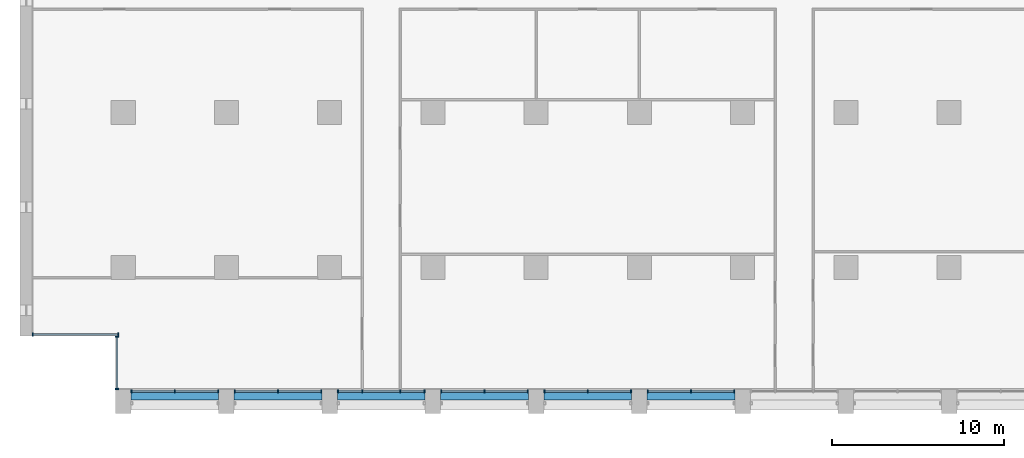
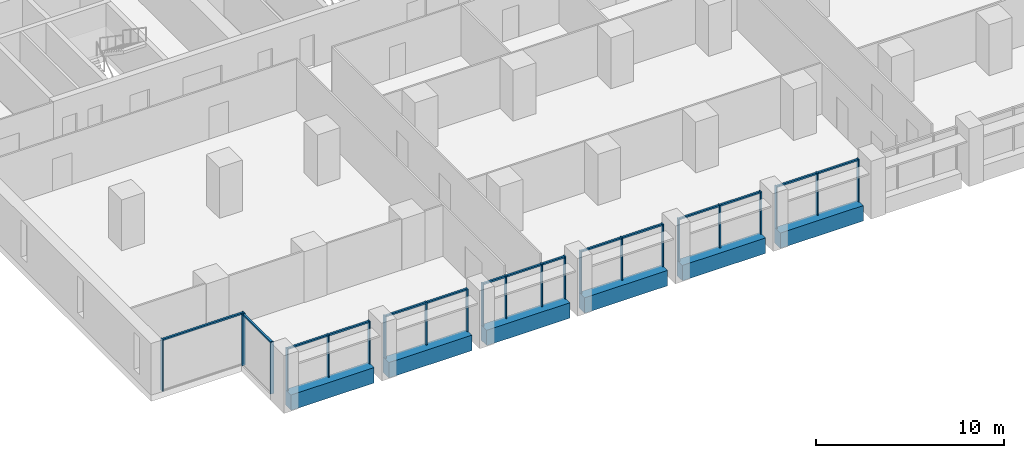
# One storey, part 2 of 15: 38 members, 6 beams, 8 elements without a shape of their own.
"""IFC4 building model written with IfcOpenShell, lengths in metres."""

from ifc_helpers import new_model, si_unit, direction, frame, origin, origin_2d, place, context, subcontext, project, spatial, rectangle, extrude, material, material_profile, profile_set, type_object, element, aggregate, save


model = new_model("IFC4")

# Units and contexts
model_context = context("Model", 3, precision=1e-05, world=origin(), true_north=direction((0.0, 1.0)))
body_context = subcontext(model_context, "Body", "Model", "MODEL_VIEW")
ifc_project = project(units=[si_unit("LENGTHUNIT", "METRE"), si_unit("AREAUNIT", "SQUARE_METRE"), si_unit("VOLUMEUNIT", "CUBIC_METRE"), si_unit("PLANEANGLEUNIT", "RADIAN"), si_unit("MASSUNIT", "GRAM", prefix="KILO")], contexts=[model_context])

# Site, building, storey
site_placement = place(None, origin())
site = spatial("IfcSite", under=ifc_project, at=site_placement, CompositionType="ELEMENT")
building_placement = place(site_placement, origin())
building = spatial("IfcBuilding", under=site, at=building_placement, Name="Calvaro Tower", CompositionType="ELEMENT")
storey_placement = place(building_placement, frame((0.0, 0.0, 110.0)))
storey = spatial("IfcBuildingStorey", under=building, at=storey_placement, Name="L27", CompositionType="ELEMENT", Elevation=110.0)

# Curtain wall, members
ifc_material_1 = material(Name="Anodised aluminium", Category="aluminium")
curtain_wall_type = type_object("IfcCurtainWallType", Name="Office curtain wall, middle zone", PredefinedType="NOTDEFINED", material=ifc_material_1)
curtain_wall_1_placement = place(storey_placement, origin())
curtain_wall_1 = element("IfcCurtainWall", 1, at=curtain_wall_1_placement, inside=storey, type_object=curtain_wall_type, Name="CW2 south curtain wall", PredefinedType="NOTDEFINED")
ifc_material_2 = material(Name="Anodised aluminium", Category="aluminium")
ifc_material_profile_1 = material_profile(ifc_material_2, rectangle(XDim=0.199951171875, YDim=0.070068359375, at=origin_2d()), Name="Mullion S2 70 x 200")
ifc_profile_set_1 = profile_set([ifc_material_profile_1], Name="Anodised aluminium")
member_type_1 = type_object("IfcMemberType", Name="Mullion S2 70 x 200", PredefinedType="MULLION", material=ifc_profile_set_1)
member_1_placement = place(storey_placement, frame((6.485107421875, 2.800048828125, 0.0), z_axis=(0.0, 0.0, 1.0), x_axis=(0.0, 1.0, 0.0)))
member_1 = element("IfcMember", 2, at=member_1_placement, type_object=member_type_1, Name="CW2 mullion 1", PredefinedType="MULLION", context=body_context, shape_type="SweptSolid", body=[
    extrude(rectangle(XDim=0.199951171875, YDim=0.070068359375, at=origin_2d()), origin(), (0.0, 0.0, 1.0), 2.75),
])
member_2_placement = place(storey_placement, frame((9.0, 2.800048828125, 0.0), z_axis=(0.0, 0.0, 1.0), x_axis=(0.0, 1.0, 0.0)))
member_2 = element("IfcMember", 3, at=member_2_placement, type_object=member_type_1, Name="CW2 mullion 2", PredefinedType="MULLION", context=body_context, shape_type="SweptSolid", body=[
    extrude(rectangle(XDim=0.199951171875, YDim=0.070068359375, at=origin_2d()), origin(), (0.0, 0.0, 1.0), 2.75),
])
member_3_placement = place(storey_placement, frame((11.514892578125, 2.800048828125, 0.0), z_axis=(0.0, 0.0, 1.0), x_axis=(0.0, 1.0, 0.0)))
member_3 = element("IfcMember", 4, at=member_3_placement, type_object=member_type_1, Name="CW2 mullion 3", PredefinedType="MULLION", context=body_context, shape_type="SweptSolid", body=[
    extrude(rectangle(XDim=0.199951171875, YDim=0.070068359375, at=origin_2d()), origin(), (0.0, 0.0, 1.0), 2.75),
])

curtain_wall_2_placement = place(storey_placement, origin())
curtain_wall_2 = element("IfcCurtainWall", 5, at=curtain_wall_2_placement, inside=storey, type_object=curtain_wall_type, Name="CW2 south curtain wall", PredefinedType="NOTDEFINED")
member_4_placement = place(storey_placement, frame((12.485107421875, 2.800048828125, 0.0), z_axis=(0.0, 0.0, 1.0), x_axis=(0.0, 1.0, 0.0)))
member_4 = element("IfcMember", 6, at=member_4_placement, type_object=member_type_1, Name="CW2 mullion 1", PredefinedType="MULLION", context=body_context, shape_type="SweptSolid", body=[
    extrude(rectangle(XDim=0.199951171875, YDim=0.070068359375, at=origin_2d()), origin(), (0.0, 0.0, 1.0), 2.75),
])
member_5_placement = place(storey_placement, frame((15.0, 2.800048828125, 0.0), z_axis=(0.0, 0.0, 1.0), x_axis=(0.0, 1.0, 0.0)))
member_5 = element("IfcMember", 7, at=member_5_placement, type_object=member_type_1, Name="CW2 mullion 2", PredefinedType="MULLION", context=body_context, shape_type="SweptSolid", body=[
    extrude(rectangle(XDim=0.199951171875, YDim=0.070068359375, at=origin_2d()), origin(), (0.0, 0.0, 1.0), 2.75),
])
member_6_placement = place(storey_placement, frame((17.514892578125, 2.800048828125, 0.0), z_axis=(0.0, 0.0, 1.0), x_axis=(0.0, 1.0, 0.0)))
member_6 = element("IfcMember", 8, at=member_6_placement, type_object=member_type_1, Name="CW2 mullion 3", PredefinedType="MULLION", context=body_context, shape_type="SweptSolid", body=[
    extrude(rectangle(XDim=0.199951171875, YDim=0.070068359375, at=origin_2d()), origin(), (0.0, 0.0, 1.0), 2.75),
])

curtain_wall_3_placement = place(storey_placement, origin())
curtain_wall_3 = element("IfcCurtainWall", 9, at=curtain_wall_3_placement, inside=storey, type_object=curtain_wall_type, Name="CW2 south curtain wall", PredefinedType="NOTDEFINED")
member_7_placement = place(storey_placement, frame((18.485107421875, 2.800048828125, 0.0), z_axis=(0.0, 0.0, 1.0), x_axis=(0.0, 1.0, 0.0)))
member_7 = element("IfcMember", 10, at=member_7_placement, type_object=member_type_1, Name="CW2 mullion 1", PredefinedType="MULLION", context=body_context, shape_type="SweptSolid", body=[
    extrude(rectangle(XDim=0.199951171875, YDim=0.070068359375, at=origin_2d()), origin(), (0.0, 0.0, 1.0), 2.75),
])
member_8_placement = place(storey_placement, frame((19.89990234375, 2.800048828125, 0.0), z_axis=(0.0, 0.0, 1.0), x_axis=(0.0, 1.0, 0.0)))
member_8 = element("IfcMember", 11, at=member_8_placement, type_object=member_type_1, Name="CW2 mullion 2", PredefinedType="MULLION", context=body_context, shape_type="SweptSolid", body=[
    extrude(rectangle(XDim=0.199951171875, YDim=0.070068359375, at=origin_2d()), origin(), (0.0, 0.0, 1.0), 2.75),
])
member_9_placement = place(storey_placement, frame((22.10009765625, 2.800048828125, 0.0), z_axis=(0.0, 0.0, 1.0), x_axis=(0.0, 1.0, 0.0)))
member_9 = element("IfcMember", 12, at=member_9_placement, type_object=member_type_1, Name="CW2 mullion 3", PredefinedType="MULLION", context=body_context, shape_type="SweptSolid", body=[
    extrude(rectangle(XDim=0.199951171875, YDim=0.070068359375, at=origin_2d()), origin(), (0.0, 0.0, 1.0), 2.75),
])
member_10_placement = place(storey_placement, frame((23.514892578125, 2.800048828125, 0.0), z_axis=(0.0, 0.0, 1.0), x_axis=(0.0, 1.0, 0.0)))
member_10 = element("IfcMember", 13, at=member_10_placement, type_object=member_type_1, Name="CW2 mullion 4", PredefinedType="MULLION", context=body_context, shape_type="SweptSolid", body=[
    extrude(rectangle(XDim=0.199951171875, YDim=0.070068359375, at=origin_2d()), origin(), (0.0, 0.0, 1.0), 2.75),
])

curtain_wall_4_placement = place(storey_placement, origin())
curtain_wall_4 = element("IfcCurtainWall", 14, at=curtain_wall_4_placement, inside=storey, type_object=curtain_wall_type, Name="CW2 south curtain wall", PredefinedType="NOTDEFINED")
member_11_placement = place(storey_placement, frame((24.485107421875, 2.800048828125, 0.0), z_axis=(0.0, 0.0, 1.0), x_axis=(0.0, 1.0, 0.0)))
member_11 = element("IfcMember", 15, at=member_11_placement, type_object=member_type_1, Name="CW2 mullion 1", PredefinedType="MULLION", context=body_context, shape_type="SweptSolid", body=[
    extrude(rectangle(XDim=0.199951171875, YDim=0.070068359375, at=origin_2d()), origin(), (0.0, 0.0, 1.0), 2.75),
])
member_12_placement = place(storey_placement, frame((27.0, 2.800048828125, 0.0), z_axis=(0.0, 0.0, 1.0), x_axis=(0.0, 1.0, 0.0)))
member_12 = element("IfcMember", 16, at=member_12_placement, type_object=member_type_1, Name="CW2 mullion 2", PredefinedType="MULLION", context=body_context, shape_type="SweptSolid", body=[
    extrude(rectangle(XDim=0.199951171875, YDim=0.070068359375, at=origin_2d()), origin(), (0.0, 0.0, 1.0), 2.75),
])
member_13_placement = place(storey_placement, frame((29.514892578125, 2.800048828125, 0.0), z_axis=(0.0, 0.0, 1.0), x_axis=(0.0, 1.0, 0.0)))
member_13 = element("IfcMember", 17, at=member_13_placement, type_object=member_type_1, Name="CW2 mullion 3", PredefinedType="MULLION", context=body_context, shape_type="SweptSolid", body=[
    extrude(rectangle(XDim=0.199951171875, YDim=0.070068359375, at=origin_2d()), origin(), (0.0, 0.0, 1.0), 2.75),
])

curtain_wall_5_placement = place(storey_placement, origin())
curtain_wall_5 = element("IfcCurtainWall", 18, at=curtain_wall_5_placement, inside=storey, type_object=curtain_wall_type, Name="CW2 south curtain wall", PredefinedType="NOTDEFINED")
member_14_placement = place(storey_placement, frame((30.485107421875, 2.800048828125, 0.0), z_axis=(0.0, 0.0, 1.0), x_axis=(0.0, 1.0, 0.0)))
member_14 = element("IfcMember", 19, at=member_14_placement, type_object=member_type_1, Name="CW2 mullion 1", PredefinedType="MULLION", context=body_context, shape_type="SweptSolid", body=[
    extrude(rectangle(XDim=0.199951171875, YDim=0.070068359375, at=origin_2d()), origin(), (0.0, 0.0, 1.0), 2.75),
])
member_15_placement = place(storey_placement, frame((33.0, 2.800048828125, 0.0), z_axis=(0.0, 0.0, 1.0), x_axis=(0.0, 1.0, 0.0)))
member_15 = element("IfcMember", 20, at=member_15_placement, type_object=member_type_1, Name="CW2 mullion 2", PredefinedType="MULLION", context=body_context, shape_type="SweptSolid", body=[
    extrude(rectangle(XDim=0.199951171875, YDim=0.070068359375, at=origin_2d()), origin(), (0.0, 0.0, 1.0), 2.75),
])
member_16_placement = place(storey_placement, frame((35.514892578125, 2.800048828125, 0.0), z_axis=(0.0, 0.0, 1.0), x_axis=(0.0, 1.0, 0.0)))
member_16 = element("IfcMember", 21, at=member_16_placement, type_object=member_type_1, Name="CW2 mullion 3", PredefinedType="MULLION", context=body_context, shape_type="SweptSolid", body=[
    extrude(rectangle(XDim=0.199951171875, YDim=0.070068359375, at=origin_2d()), origin(), (0.0, 0.0, 1.0), 2.75),
])

curtain_wall_6_placement = place(storey_placement, origin())
curtain_wall_6 = element("IfcCurtainWall", 22, at=curtain_wall_6_placement, inside=storey, type_object=curtain_wall_type, Name="CW2 south curtain wall", PredefinedType="NOTDEFINED")
member_17_placement = place(storey_placement, frame((36.485107421875, 2.800048828125, 0.0), z_axis=(0.0, 0.0, 1.0), x_axis=(0.0, 1.0, 0.0)))
member_17 = element("IfcMember", 23, at=member_17_placement, type_object=member_type_1, Name="CW2 mullion 1", PredefinedType="MULLION", context=body_context, shape_type="SweptSolid", body=[
    extrude(rectangle(XDim=0.199951171875, YDim=0.070068359375, at=origin_2d()), origin(), (0.0, 0.0, 1.0), 2.75),
])
member_18_placement = place(storey_placement, frame((39.0, 2.800048828125, 0.0), z_axis=(0.0, 0.0, 1.0), x_axis=(0.0, 1.0, 0.0)))
member_18 = element("IfcMember", 24, at=member_18_placement, type_object=member_type_1, Name="CW2 mullion 2", PredefinedType="MULLION", context=body_context, shape_type="SweptSolid", body=[
    extrude(rectangle(XDim=0.199951171875, YDim=0.070068359375, at=origin_2d()), origin(), (0.0, 0.0, 1.0), 2.75),
])
member_19_placement = place(storey_placement, frame((41.514892578125, 2.800048828125, 0.0), z_axis=(0.0, 0.0, 1.0), x_axis=(0.0, 1.0, 0.0)))
member_19 = element("IfcMember", 25, at=member_19_placement, type_object=member_type_1, Name="CW2 mullion 3", PredefinedType="MULLION", context=body_context, shape_type="SweptSolid", body=[
    extrude(rectangle(XDim=0.199951171875, YDim=0.070068359375, at=origin_2d()), origin(), (0.0, 0.0, 1.0), 2.75),
])

curtain_wall_7_placement = place(storey_placement, origin())
curtain_wall_7 = element("IfcCurtainWall", 26, at=curtain_wall_7_placement, inside=storey, type_object=curtain_wall_type, Name="CW2 corner curtain wall", PredefinedType="NOTDEFINED")
member_20_placement = place(storey_placement, frame((5.64990234375, 2.93505859375, 0.0), z_axis=(0.0, 0.0, 1.0), x_axis=(-1.0, 0.0, 0.0)))
member_20 = element("IfcMember", 27, at=member_20_placement, type_object=member_type_1, Name="CW2 mullion 1", PredefinedType="MULLION", context=body_context, shape_type="SweptSolid", body=[
    extrude(rectangle(XDim=0.199951171875, YDim=0.070068359375, at=origin_2d()), origin(), (0.0, 0.0, 1.0), 3.35009765625),
])
member_21_placement = place(storey_placement, frame((5.64990234375, 5.965087890625, 0.0), z_axis=(0.0, 0.0, 1.0), x_axis=(-1.0, 0.0, 0.0)))
member_21 = element("IfcMember", 28, at=member_21_placement, type_object=member_type_1, Name="CW2 mullion 2", PredefinedType="MULLION", context=body_context, shape_type="SweptSolid", body=[
    extrude(rectangle(XDim=0.199951171875, YDim=0.070068359375, at=origin_2d()), origin(), (0.0, 0.0, 1.0), 3.35009765625),
])

curtain_wall_8_placement = place(storey_placement, origin())
curtain_wall_8 = element("IfcCurtainWall", 29, at=curtain_wall_8_placement, inside=storey, type_object=curtain_wall_type, Name="CW2 corner curtain wall", PredefinedType="NOTDEFINED")
member_22_placement = place(storey_placement, frame((0.735107421875, 6.10009765625, 0.0), z_axis=(0.0, 0.0, 1.0), x_axis=(0.0, 1.0, 0.0)))
member_22 = element("IfcMember", 30, at=member_22_placement, type_object=member_type_1, Name="CW2 mullion 1", PredefinedType="MULLION", context=body_context, shape_type="SweptSolid", body=[
    extrude(rectangle(XDim=0.199951171875, YDim=0.070068359375, at=origin_2d()), origin(), (0.0, 0.0, 1.0), 3.35009765625),
])
member_23_placement = place(storey_placement, frame((5.715087890625, 6.10009765625, 0.0), z_axis=(0.0, 0.0, 1.0), x_axis=(0.0, 1.0, 0.0)))
member_23 = element("IfcMember", 31, at=member_23_placement, type_object=member_type_1, Name="CW2 mullion 2", PredefinedType="MULLION", context=body_context, shape_type="SweptSolid", body=[
    extrude(rectangle(XDim=0.199951171875, YDim=0.070068359375, at=origin_2d()), origin(), (0.0, 0.0, 1.0), 3.35009765625),
])

# Beams
ifc_material_3 = material(Name="Concrete C50/60 precast", Category="concrete")
ifc_material_profile_2 = material_profile(ifc_material_3, rectangle(XDim=0.60009765625, YDim=1.0, at=origin_2d()), Name="RC 600x1000")
ifc_profile_set_2 = profile_set([ifc_material_profile_2], Name="Concrete C50/60 precast")
beam_type = type_object("IfcBeamType", Name="Spandrel beam 600x1000 C50/60", PredefinedType="SPANDREL", material=ifc_profile_set_2)
for number, where, z_axis, x_axis, name in (
    (32, (6.449951171875, 2.60009765625, -0.5), (1.0, 0.0, 0.0), (0.0, 1.0, 0.0), "Spandrel beam"),
    (33, (12.449951171875, 2.60009765625, -0.5), (1.0, 0.0, 0.0), (0.0, 1.0, 0.0), "Spandrel beam"),
    (34, (18.449951171875, 2.60009765625, -0.5), (1.0, 0.0, 0.0), (0.0, 1.0, 0.0), "Spandrel beam"),
    (35, (24.449951171875, 2.60009765625, -0.5), (1.0, 0.0, 0.0), (0.0, 1.0, 0.0), "Spandrel beam"),
    (36, (30.449951171875, 2.60009765625, -0.5), (1.0, 0.0, 0.0), (0.0, 1.0, 0.0), "Spandrel beam"),
    (37, (36.449951171875, 2.60009765625, -0.5), (1.0, 0.0, 0.0), (0.0, 1.0, 0.0), "Spandrel beam"),
):
    element("IfcBeam", number, at=place(storey_placement, frame(where, z_axis=z_axis, x_axis=x_axis)), inside=storey, type_object=beam_type, Name=name, PredefinedType="SPANDREL", context=body_context, shape_type="SweptSolid", body=[
        extrude(rectangle(XDim=0.60009765625, YDim=1.0, at=origin_2d()), origin(), (0.0, 0.0, 1.0), 5.10009765625),
    ])

# Member
ifc_material_4 = material(Name="Anodised aluminium", Category="aluminium")
ifc_material_profile_3 = material_profile(ifc_material_4, rectangle(XDim=0.1201171875, YDim=0.10009765625, at=origin_2d()), Name="Transom S2 100 x 120")
ifc_profile_set_3 = profile_set([ifc_material_profile_3], Name="Anodised aluminium")
member_type_2 = type_object("IfcMemberType", Name="Transom S2 100 x 120", PredefinedType="USERDEFINED", material=ifc_profile_set_3)
member_24_placement = place(storey_placement, frame((6.52001953125, 2.800048828125, 2.699951171875), z_axis=(1.0, 0.0, 0.0), x_axis=(0.0, 1.0, 0.0)))
member_24 = element("IfcMember", 38, at=member_24_placement, type_object=member_type_2, Name="CW2 transom 1.1", ObjectType="TRANSOM", PredefinedType="USERDEFINED", context=body_context, shape_type="SweptSolid", body=[
    extrude(rectangle(XDim=0.1201171875, YDim=0.10009765625, at=origin_2d()), origin(), (0.0, 0.0, 1.0), 2.445068359375),
])

member_25_placement = place(storey_placement, frame((9.034912109375, 2.800048828125, 2.699951171875), z_axis=(1.0, 0.0, 0.0), x_axis=(0.0, 1.0, 0.0)))
member_25 = element("IfcMember", 39, at=member_25_placement, type_object=member_type_2, Name="CW2 transom 2.1", ObjectType="TRANSOM", PredefinedType="USERDEFINED", context=body_context, shape_type="SweptSolid", body=[
    extrude(rectangle(XDim=0.1201171875, YDim=0.10009765625, at=origin_2d()), origin(), (0.0, 0.0, 1.0), 2.445068359375),
])

aggregate(curtain_wall_1, [member_1, member_2, member_3, member_24, member_25])

member_26_placement = place(storey_placement, frame((12.52001953125, 2.800048828125, 2.699951171875), z_axis=(1.0, 0.0, 0.0), x_axis=(0.0, 1.0, 0.0)))
member_26 = element("IfcMember", 40, at=member_26_placement, type_object=member_type_2, Name="CW2 transom 1.1", ObjectType="TRANSOM", PredefinedType="USERDEFINED", context=body_context, shape_type="SweptSolid", body=[
    extrude(rectangle(XDim=0.1201171875, YDim=0.10009765625, at=origin_2d()), origin(), (0.0, 0.0, 1.0), 2.445068359375),
])

member_27_placement = place(storey_placement, frame((15.034912109375, 2.800048828125, 2.699951171875), z_axis=(1.0, 0.0, 0.0), x_axis=(0.0, 1.0, 0.0)))
member_27 = element("IfcMember", 41, at=member_27_placement, type_object=member_type_2, Name="CW2 transom 2.1", ObjectType="TRANSOM", PredefinedType="USERDEFINED", context=body_context, shape_type="SweptSolid", body=[
    extrude(rectangle(XDim=0.1201171875, YDim=0.10009765625, at=origin_2d()), origin(), (0.0, 0.0, 1.0), 2.445068359375),
])

aggregate(curtain_wall_2, [member_4, member_5, member_6, member_26, member_27])

member_28_placement = place(storey_placement, frame((18.52001953125, 2.800048828125, 2.699951171875), z_axis=(1.0, 0.0, 0.0), x_axis=(0.0, 1.0, 0.0)))
member_28 = element("IfcMember", 42, at=member_28_placement, type_object=member_type_2, Name="CW2 transom 1.1", ObjectType="TRANSOM", PredefinedType="USERDEFINED", context=body_context, shape_type="SweptSolid", body=[
    extrude(rectangle(XDim=0.1201171875, YDim=0.10009765625, at=origin_2d()), origin(), (0.0, 0.0, 1.0), 1.344970703125),
])

member_29_placement = place(storey_placement, frame((19.93505859375, 2.800048828125, 2.699951171875), z_axis=(1.0, 0.0, 0.0), x_axis=(0.0, 1.0, 0.0)))
member_29 = element("IfcMember", 43, at=member_29_placement, type_object=member_type_2, Name="CW2 transom 2.1", ObjectType="TRANSOM", PredefinedType="USERDEFINED", context=body_context, shape_type="SweptSolid", body=[
    extrude(rectangle(XDim=0.1201171875, YDim=0.10009765625, at=origin_2d()), origin(), (0.0, 0.0, 1.0), 2.1298828125),
])

member_30_placement = place(storey_placement, frame((22.135009765625, 2.800048828125, 2.699951171875), z_axis=(1.0, 0.0, 0.0), x_axis=(0.0, 1.0, 0.0)))
member_30 = element("IfcMember", 44, at=member_30_placement, type_object=member_type_2, Name="CW2 transom 3.1", ObjectType="TRANSOM", PredefinedType="USERDEFINED", context=body_context, shape_type="SweptSolid", body=[
    extrude(rectangle(XDim=0.1201171875, YDim=0.10009765625, at=origin_2d()), origin(), (0.0, 0.0, 1.0), 1.344970703125),
])

aggregate(curtain_wall_3, [member_7, member_8, member_9, member_10, member_28, member_29, member_30])

member_31_placement = place(storey_placement, frame((24.52001953125, 2.800048828125, 2.699951171875), z_axis=(1.0, 0.0, 0.0), x_axis=(0.0, 1.0, 0.0)))
member_31 = element("IfcMember", 45, at=member_31_placement, type_object=member_type_2, Name="CW2 transom 1.1", ObjectType="TRANSOM", PredefinedType="USERDEFINED", context=body_context, shape_type="SweptSolid", body=[
    extrude(rectangle(XDim=0.1201171875, YDim=0.10009765625, at=origin_2d()), origin(), (0.0, 0.0, 1.0), 2.445068359375),
])

member_32_placement = place(storey_placement, frame((27.034912109375, 2.800048828125, 2.699951171875), z_axis=(1.0, 0.0, 0.0), x_axis=(0.0, 1.0, 0.0)))
member_32 = element("IfcMember", 46, at=member_32_placement, type_object=member_type_2, Name="CW2 transom 2.1", ObjectType="TRANSOM", PredefinedType="USERDEFINED", context=body_context, shape_type="SweptSolid", body=[
    extrude(rectangle(XDim=0.1201171875, YDim=0.10009765625, at=origin_2d()), origin(), (0.0, 0.0, 1.0), 2.445068359375),
])

aggregate(curtain_wall_4, [member_11, member_12, member_13, member_31, member_32])

member_33_placement = place(storey_placement, frame((30.52001953125, 2.800048828125, 2.699951171875), z_axis=(1.0, 0.0, 0.0), x_axis=(0.0, 1.0, 0.0)))
member_33 = element("IfcMember", 47, at=member_33_placement, type_object=member_type_2, Name="CW2 transom 1.1", ObjectType="TRANSOM", PredefinedType="USERDEFINED", context=body_context, shape_type="SweptSolid", body=[
    extrude(rectangle(XDim=0.1201171875, YDim=0.10009765625, at=origin_2d()), origin(), (0.0, 0.0, 1.0), 2.445068359375),
])

member_34_placement = place(storey_placement, frame((33.034912109375, 2.800048828125, 2.699951171875), z_axis=(1.0, 0.0, 0.0), x_axis=(0.0, 1.0, 0.0)))
member_34 = element("IfcMember", 48, at=member_34_placement, type_object=member_type_2, Name="CW2 transom 2.1", ObjectType="TRANSOM", PredefinedType="USERDEFINED", context=body_context, shape_type="SweptSolid", body=[
    extrude(rectangle(XDim=0.1201171875, YDim=0.10009765625, at=origin_2d()), origin(), (0.0, 0.0, 1.0), 2.445068359375),
])

aggregate(curtain_wall_5, [member_14, member_15, member_16, member_33, member_34])

member_35_placement = place(storey_placement, frame((36.52001953125, 2.800048828125, 2.699951171875), z_axis=(1.0, 0.0, 0.0), x_axis=(0.0, 1.0, 0.0)))
member_35 = element("IfcMember", 49, at=member_35_placement, type_object=member_type_2, Name="CW2 transom 1.1", ObjectType="TRANSOM", PredefinedType="USERDEFINED", context=body_context, shape_type="SweptSolid", body=[
    extrude(rectangle(XDim=0.1201171875, YDim=0.10009765625, at=origin_2d()), origin(), (0.0, 0.0, 1.0), 2.445068359375),
])

member_36_placement = place(storey_placement, frame((39.034912109375, 2.800048828125, 2.699951171875), z_axis=(1.0, 0.0, 0.0), x_axis=(0.0, 1.0, 0.0)))
member_36 = element("IfcMember", 50, at=member_36_placement, type_object=member_type_2, Name="CW2 transom 2.1", ObjectType="TRANSOM", PredefinedType="USERDEFINED", context=body_context, shape_type="SweptSolid", body=[
    extrude(rectangle(XDim=0.1201171875, YDim=0.10009765625, at=origin_2d()), origin(), (0.0, 0.0, 1.0), 2.445068359375),
])

aggregate(curtain_wall_6, [member_17, member_18, member_19, member_35, member_36])

member_37_placement = place(storey_placement, frame((5.64990234375, 2.969970703125, 3.300048828125), z_axis=(0.0, 1.0, 0.0), x_axis=(-1.0, 0.0, 0.0)))
member_37 = element("IfcMember", 51, at=member_37_placement, type_object=member_type_2, Name="CW2 transom 1.1", ObjectType="TRANSOM", PredefinedType="USERDEFINED", context=body_context, shape_type="SweptSolid", body=[
    extrude(rectangle(XDim=0.1201171875, YDim=0.10009765625, at=origin_2d()), origin(), (0.0, 0.0, 1.0), 2.9599609375),
])

aggregate(curtain_wall_7, [member_20, member_21, member_37])

member_38_placement = place(storey_placement, frame((0.77001953125, 6.10009765625, 3.300048828125), z_axis=(1.0, 0.0, 0.0), x_axis=(0.0, 1.0, 0.0)))
member_38 = element("IfcMember", 52, at=member_38_placement, type_object=member_type_2, Name="CW2 transom 1.1", ObjectType="TRANSOM", PredefinedType="USERDEFINED", context=body_context, shape_type="SweptSolid", body=[
    extrude(rectangle(XDim=0.1201171875, YDim=0.10009765625, at=origin_2d()), origin(), (0.0, 0.0, 1.0), 4.909912109375),
])

aggregate(curtain_wall_8, [member_22, member_23, member_38])

save(model, "model.ifc")
